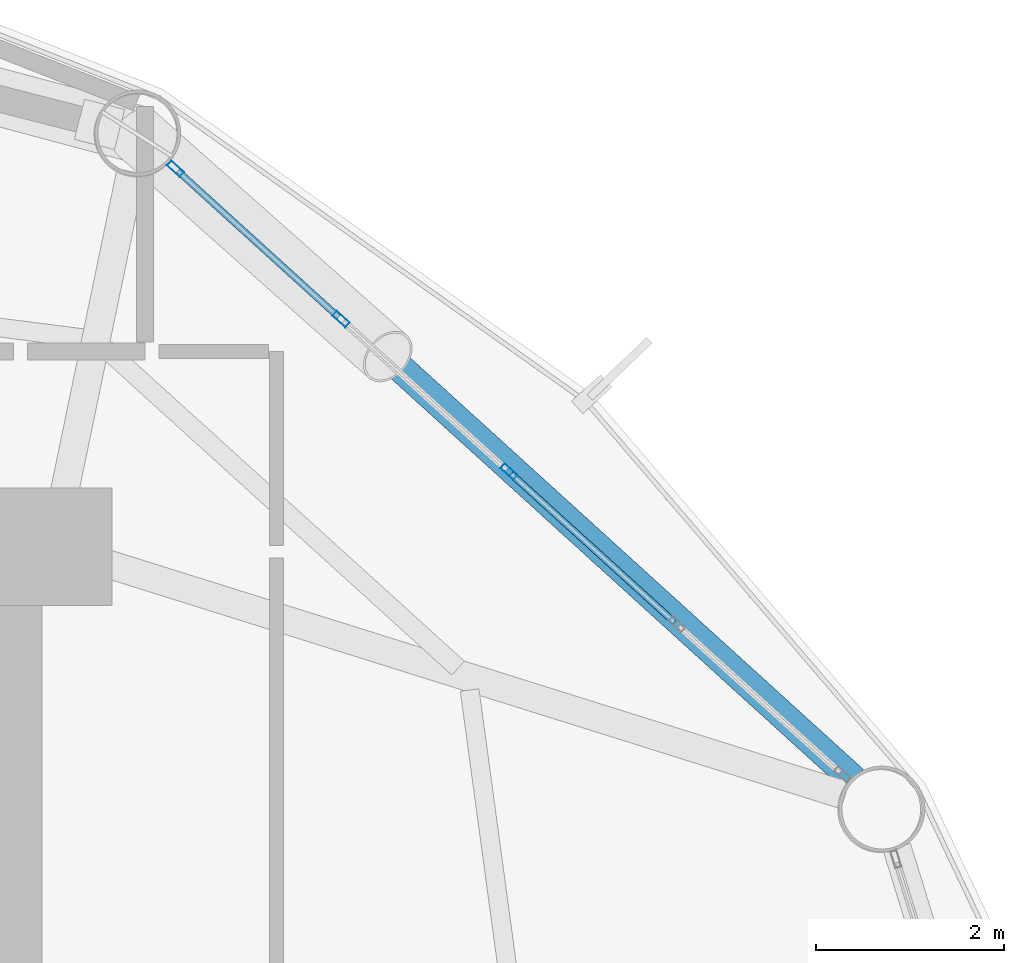
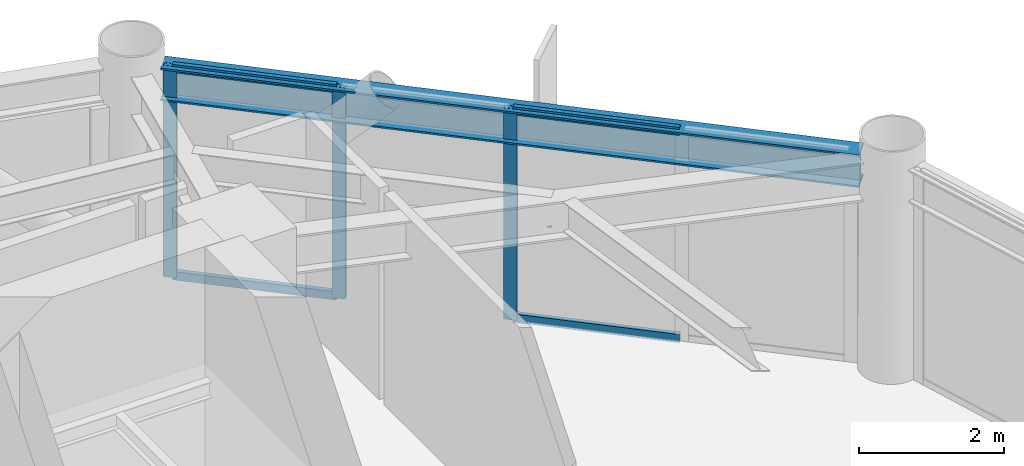
# One storey, part 18 of 25: 7 members, 1 beam, 1 element without a shape of its own.
"""IFC4 building model written with IfcOpenShell, lengths in metres."""

from ifc_helpers import new_model, si_unit, direction, frame, origin, origin_2d, place, context, subcontext, project, spatial, hollow_rectangle, i_section, extrude, material, layer, layer_set, material_profile, profile_set, type_object, element, aggregate, save


model = new_model("IFC4")

# Units and contexts
model_context = context("Model", 3, precision=1e-05, world=origin(), true_north=direction((0.0, 1.0)))
body_context = subcontext(model_context, "Body", "Model", "MODEL_VIEW")
ifc_project = project(units=[si_unit("LENGTHUNIT", "METRE"), si_unit("AREAUNIT", "SQUARE_METRE"), si_unit("VOLUMEUNIT", "CUBIC_METRE"), si_unit("PLANEANGLEUNIT", "RADIAN"), si_unit("MASSUNIT", "GRAM", prefix="KILO")], contexts=[model_context])

# Site, building, storey
site_placement = place(None, origin())
site = spatial("IfcSite", under=ifc_project, at=site_placement, CompositionType="ELEMENT")
building_placement = place(site_placement, origin())
building = spatial("IfcBuilding", under=site, at=building_placement, Name="Varnakorn Sky Granary", CompositionType="ELEMENT")
storey_placement = place(building_placement, frame((0.0, 0.0, 74.39990234375)))
storey = spatial("IfcBuildingStorey", under=building, at=storey_placement, Name="L18", CompositionType="ELEMENT", Elevation=74.39990234375)

# Beam
ifc_material_1 = material(Name="Steel S355JR", Category="steel")
ifc_material_profile_1 = material_profile(ifc_material_1, i_section(OverallWidth=0.300048828125, OverallDepth=0.550048828125, WebThickness=0.014892578125, FlangeThickness=0.029052734375, at=origin_2d()), Name="HE 550 B")
ifc_profile_set_1 = profile_set([ifc_material_profile_1], Name="Steel S355JR")
beam_type = type_object("IfcBeamType", Name="BM-SPD-Z1", PredefinedType="SPANDREL", material=ifc_profile_set_1)
beam_placement = place(storey_placement, frame((16.94482421875, 10.13916015625, 3.275146484375), z_axis=(-0.74030283962, 0.672273534843, 0.0), x_axis=(-0.672273534843, -0.74030283962, 0.0)))
element("IfcBeam", 1, at=beam_placement, inside=storey, type_object=beam_type, Name="Perimeter Spandrel Ring Beam RB02 L18", PredefinedType="SPANDREL", context=body_context, shape_type="SweptSolid", body=[
    extrude(i_section(OverallWidth=0.300048828125, OverallDepth=0.550048828125, WebThickness=0.014892578125, FlangeThickness=0.029052734375, at=origin_2d()), origin(), (0.0, 0.0, 1.0), 9.833251953125),
])

# Curtain wall, members
ifc_material_2 = material(Name="Anodised Bronze Aluminium Alloy 6063-T6", Category="aluminium")
ifc_layer = layer(ifc_material_2, 0.18994140625, Name="Anodised Bronze Aluminium Alloy 6063-T6")
ifc_layer_set = layer_set([ifc_layer], Name="Anodised Bronze Aluminium Alloy 6063-T6")
curtain_wall_type = type_object("IfcCurtainWallType", Name="CW-FRM-1", PredefinedType="USERDEFINED", material=ifc_layer_set)
curtain_wall_placement = place(storey_placement, origin())
curtain_wall = element("IfcCurtainWall", 2, at=curtain_wall_placement, inside=storey, type_object=curtain_wall_type, Name="Unitised Curtain Wall CW3 CW-L18-B02", ObjectType="CURTAIN WALL", PredefinedType="USERDEFINED")
ifc_material_profile_2 = material_profile(ifc_material_2, hollow_rectangle(XDim=0.070068359375, YDim=0.18505859375, WallThickness=0.00390625, at=origin_2d()), Name="ALU MULL 70x185")
ifc_profile_set_2 = profile_set([ifc_material_profile_2], Name="Anodised Bronze Aluminium Alloy 6063-T6")
member_type_1 = type_object("IfcMemberType", Name="CW-FRM-1-MULL", PredefinedType="MULLION", material=ifc_profile_set_2)
member_1_placement = place(storey_placement, frame((9.72216796875, 16.642822265625, 0.0), z_axis=(0.0, 0.0, 1.0), x_axis=(0.672398130197, 0.740189674683, 0.0)))
member_1 = element("IfcMember", 3, at=member_1_placement, type_object=member_type_1, Name="CW3 mullion 1", PredefinedType="MULLION", context=body_context, shape_type="SweptSolid", body=[
    extrude(hollow_rectangle(XDim=0.070068359375, YDim=0.18505859375, WallThickness=0.00390625, at=origin_2d()), origin(), (0.0, 0.0, 1.0), 3.550048828125),
])
member_2_placement = place(storey_placement, frame((11.48388671875, 15.04248046875, 0.0), z_axis=(0.0, 0.0, 1.0), x_axis=(0.672398130197, 0.740189674683, 0.0)))
member_2 = element("IfcMember", 4, at=member_2_placement, type_object=member_type_1, Name="CW3 mullion 2", PredefinedType="MULLION", context=body_context, shape_type="SweptSolid", body=[
    extrude(hollow_rectangle(XDim=0.070068359375, YDim=0.18505859375, WallThickness=0.00390625, at=origin_2d()), origin(), (0.0, 0.0, 1.0), 3.550048828125),
])
member_3_placement = place(storey_placement, frame((13.271484375, 13.41845703125, 0.0), z_axis=(0.0, 0.0, 1.0), x_axis=(0.672398130197, 0.740189674683, 0.0)))
member_3 = element("IfcMember", 5, at=member_3_placement, type_object=member_type_1, Name="CW3 mullion 3", PredefinedType="MULLION", context=body_context, shape_type="SweptSolid", body=[
    extrude(hollow_rectangle(XDim=0.070068359375, YDim=0.18505859375, WallThickness=0.00390625, at=origin_2d()), origin(), (0.0, 0.0, 1.0), 3.550048828125),
])
ifc_material_profile_3 = material_profile(ifc_material_2, hollow_rectangle(XDim=0.070068359375, YDim=0.139892578125, WallThickness=0.00341796875, at=origin_2d()), Name="ALU TRAN 70x140")
ifc_profile_set_3 = profile_set([ifc_material_profile_3], Name="Anodised Bronze Aluminium Alloy 6063-T6")
member_type_2 = type_object("IfcMemberType", Name="CW-FRM-1-TRAN", PredefinedType="USERDEFINED", material=ifc_profile_set_3)
member_4_placement = place(storey_placement, frame((9.748046875, 16.619140625, 0.03515625), z_axis=(0.740217373706, -0.672367637281, 0.0), x_axis=(0.672367637281, 0.740217373706, 0.0)))
member_4 = element("IfcMember", 6, at=member_4_placement, type_object=member_type_2, Name="CW3 transom 1.1", ObjectType="TRANSOM", PredefinedType="USERDEFINED", context=body_context, shape_type="SweptSolid", body=[
    extrude(hollow_rectangle(XDim=0.070068359375, YDim=0.139892578125, WallThickness=0.00341796875, at=origin_2d()), origin(), (0.0, 0.0, 1.0), 2.31005859375),
])
member_5_placement = place(storey_placement, frame((9.748046875, 16.619140625, 3.51513671875), z_axis=(0.740217373706, -0.672367637281, 0.0), x_axis=(0.672367637281, 0.740217373706, 0.0)))
member_5 = element("IfcMember", 7, at=member_5_placement, type_object=member_type_2, Name="CW3 transom 1.2", ObjectType="TRANSOM", PredefinedType="USERDEFINED", context=body_context, shape_type="SweptSolid", body=[
    extrude(hollow_rectangle(XDim=0.070068359375, YDim=0.139892578125, WallThickness=0.00341796875, at=origin_2d()), origin(), (0.0, 0.0, 1.0), 2.31005859375),
])
member_6_placement = place(storey_placement, frame((13.29736328125, 13.39501953125, 0.03515625), z_axis=(0.740180266474, -0.672408486801, 0.0), x_axis=(0.672408486801, 0.740180266474, 0.0)))
member_6 = element("IfcMember", 8, at=member_6_placement, type_object=member_type_2, Name="CW3 transom 3.1", ObjectType="TRANSOM", PredefinedType="USERDEFINED", context=body_context, shape_type="SweptSolid", body=[
    extrude(hollow_rectangle(XDim=0.070068359375, YDim=0.139892578125, WallThickness=0.00341796875, at=origin_2d()), origin(), (0.0, 0.0, 1.0), 2.34521484375),
])
member_7_placement = place(storey_placement, frame((13.29736328125, 13.39501953125, 3.51513671875), z_axis=(0.740180266474, -0.672408486801, 0.0), x_axis=(0.672408486801, 0.740180266474, 0.0)))
member_7 = element("IfcMember", 9, at=member_7_placement, type_object=member_type_2, Name="CW3 transom 3.2", ObjectType="TRANSOM", PredefinedType="USERDEFINED", context=body_context, shape_type="SweptSolid", body=[
    extrude(hollow_rectangle(XDim=0.070068359375, YDim=0.139892578125, WallThickness=0.00341796875, at=origin_2d()), origin(), (0.0, 0.0, 1.0), 2.34521484375),
])
aggregate(curtain_wall, [member_1, member_2, member_3, member_4, member_5, member_6, member_7])

save(model, "model.ifc")
